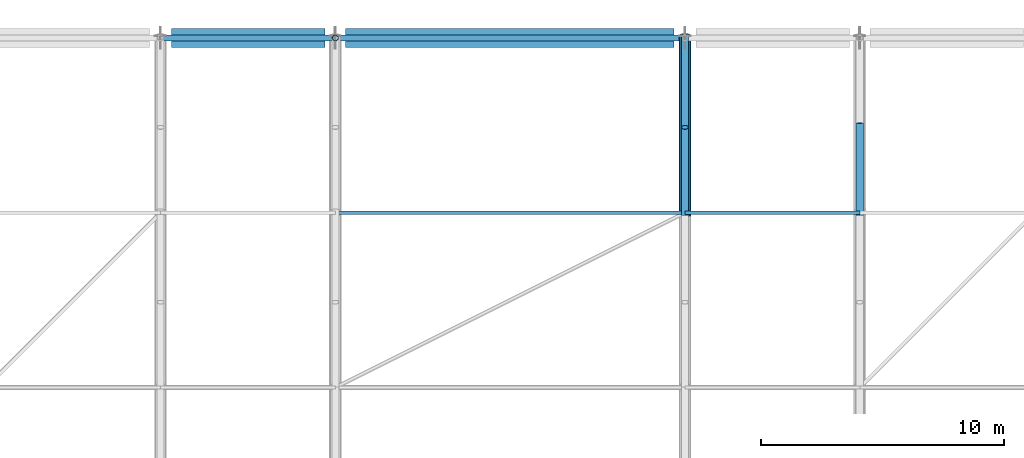
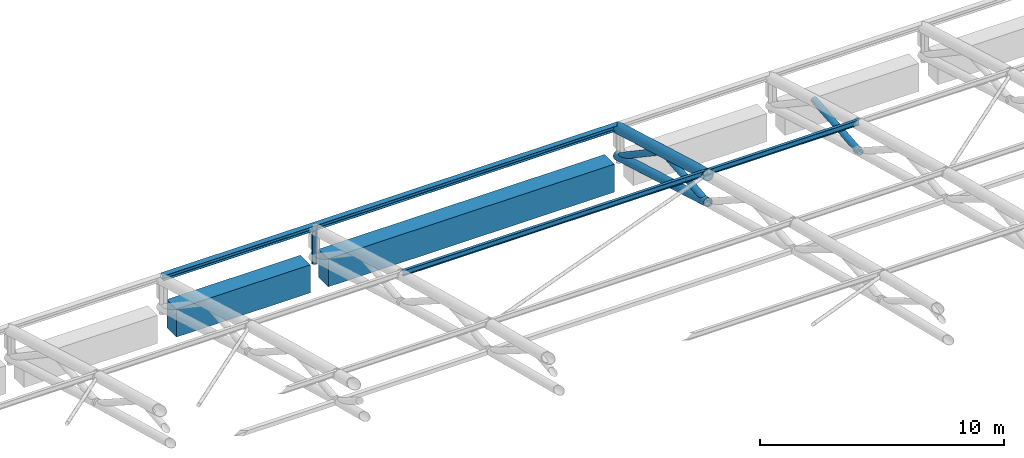
# One storey, part 98 of 193: 10 members, 2 beams.
"""IFC4 building model written with IfcOpenShell, lengths in metres."""

from ifc_helpers import new_model, si_unit, direction, frame, origin, origin_2d, place, context, subcontext, project, spatial, rectangle, hollow_circle, i_section, extrude, material, material_profile, profile_set, type_object, element, save


model = new_model("IFC4")

# Units and contexts
model_context = context("Model", 3, precision=1e-05, world=origin(), true_north=direction((0.0, 1.0)))
body_context = subcontext(model_context, "Body", "Model", "MODEL_VIEW")
ifc_project = project(units=[si_unit("LENGTHUNIT", "METRE"), si_unit("AREAUNIT", "SQUARE_METRE"), si_unit("VOLUMEUNIT", "CUBIC_METRE"), si_unit("PLANEANGLEUNIT", "RADIAN"), si_unit("MASSUNIT", "GRAM", prefix="KILO")], contexts=[model_context])

# Site, building, storey
site_placement = place(None, origin())
site = spatial("IfcSite", under=ifc_project, at=site_placement, CompositionType="ELEMENT")
building_placement = place(site_placement, origin())
building = spatial("IfcBuilding", under=site, at=building_placement, Name="Cendralis Lancet Convention Centre", CompositionType="ELEMENT")
storey_placement = place(building_placement, frame((0.0, 0.0, 10.199951171875)))
storey = spatial("IfcBuildingStorey", under=building, at=storey_placement, Name="L02", CompositionType="ELEMENT", Elevation=10.199951171875)

# Beams
ifc_material_1 = material(Name="Concrete G40 (C40/50)", Category="concrete")
ifc_material_profile_1 = material_profile(ifc_material_1, rectangle(XDim=0.800048828125, YDim=1.39990234375, at=origin_2d()), Name="RCB 800x1400")
ifc_profile_set_1 = profile_set([ifc_material_profile_1], Name="Concrete G40 (C40/50)")
beam_type = type_object("IfcBeamType", Name="STR-BM-BG17", PredefinedType="BEAM", material=ifc_profile_set_1)
beam_1_placement = place(storey_placement, frame((14.85009765625, 136.800048828125, 1.5), z_axis=(1.0, 0.0, 0.0), x_axis=(0.0, 1.0, 0.0)))
element("IfcBeam", 1, at=beam_1_placement, inside=storey, type_object=beam_type, Name="L02 Beam BG17 #1325", PredefinedType="BEAM", context=body_context, shape_type="SweptSolid", body=[
    extrude(rectangle(XDim=0.800048828125, YDim=1.39990234375, at=origin_2d()), origin(), (0.0, 0.0, 1.0), 6.324951171875),
])
beam_2_placement = place(storey_placement, frame((22.02490234375, 136.800048828125, 1.5), z_axis=(1.0, 0.0, 0.0), x_axis=(0.0, 1.0, 0.0)))
element("IfcBeam", 2, at=beam_2_placement, inside=storey, type_object=beam_type, Name="L02 Beam BG17 #1326", PredefinedType="BEAM", context=body_context, shape_type="SweptSolid", body=[
    extrude(rectangle(XDim=0.800048828125, YDim=1.39990234375, at=origin_2d()), origin(), (0.0, 0.0, 1.0), 13.525146484375),
])

# Members
ifc_material_2 = material(Name="Steel S355", Category="steel")
ifc_material_profile_2 = material_profile(ifc_material_2, i_section(OverallWidth=0.135009765625, OverallDepth=0.27001953125, WebThickness=0.006591796875, FlangeThickness=0.01025390625, FilletRadius=0.014892578125, at=origin_2d()), Name="IPE 270")
ifc_profile_set_2 = profile_set([ifc_material_profile_2], Name="Steel S355")
member_type_1 = type_object("IfcMemberType", Name="STR-PR-PR01", PredefinedType="PURLIN", material=ifc_profile_set_2)
member_1_placement = place(storey_placement, frame((21.60009765625, 129.60009765625, 5.771728515625), z_axis=(1.0, 0.0, 0.0), x_axis=(0.0, 1.0, 0.0)))
element("IfcMember", 3, at=member_1_placement, inside=storey, type_object=member_type_1, Name="Vault Roof Purlin PR01 V1-03-11", PredefinedType="PURLIN", context=body_context, shape_type="SweptSolid", body=[
    extrude(i_section(OverallWidth=0.135009765625, OverallDepth=0.27001953125, WebThickness=0.006591796875, FlangeThickness=0.01025390625, FilletRadius=0.014892578125, at=origin_2d()), origin(), (0.0, 0.0, 1.0), 14.39990234375),
])
member_2_placement = place(storey_placement, frame((36.0, 129.60009765625, 5.771728515625), z_axis=(1.0, 0.0, 0.0), x_axis=(0.0, 1.0, 0.0)))
element("IfcMember", 4, at=member_2_placement, inside=storey, type_object=member_type_1, Name="Vault Roof Purlin PR01 V1-04-11", PredefinedType="PURLIN", context=body_context, shape_type="SweptSolid", body=[
    extrude(i_section(OverallWidth=0.135009765625, OverallDepth=0.27001953125, WebThickness=0.006591796875, FlangeThickness=0.01025390625, FilletRadius=0.014892578125, at=origin_2d()), origin(), (0.0, 0.0, 1.0), 7.199951171875),
])
ifc_material_profile_3 = material_profile(ifc_material_2, i_section(OverallWidth=0.260009765625, OverallDepth=0.25, WebThickness=0.007568359375, FlangeThickness=0.012451171875, FilletRadius=0.02392578125, at=origin_2d()), Name="HEA 260")
ifc_profile_set_3 = profile_set([ifc_material_profile_3], Name="Steel S355")
member_type_2 = type_object("IfcMemberType", Name="STR-PR-PR07", PredefinedType="PURLIN", material=ifc_profile_set_3)
member_3_placement = place(storey_placement, frame((14.39990234375, 136.800048828125, 3.72509765625), z_axis=(1.0, 0.0, 0.0), x_axis=(0.0, 1.0, 0.0)))
element("IfcMember", 5, at=member_3_placement, inside=storey, type_object=member_type_2, Name="Vault Roof Purlin PR07 V1-02-12", PredefinedType="PURLIN", context=body_context, shape_type="SweptSolid", body=[
    extrude(i_section(OverallWidth=0.260009765625, OverallDepth=0.25, WebThickness=0.007568359375, FlangeThickness=0.012451171875, FilletRadius=0.02392578125, at=origin_2d()), origin(), (0.0, 0.0, 1.0), 7.2001953125),
])
member_4_placement = place(storey_placement, frame((21.60009765625, 136.800048828125, 3.72509765625), z_axis=(1.0, 0.0, 0.0), x_axis=(0.0, 1.0, 0.0)))
element("IfcMember", 6, at=member_4_placement, inside=storey, type_object=member_type_2, Name="Vault Roof Purlin PR07 V1-03-12", PredefinedType="PURLIN", context=body_context, shape_type="SweptSolid", body=[
    extrude(i_section(OverallWidth=0.260009765625, OverallDepth=0.25, WebThickness=0.007568359375, FlangeThickness=0.012451171875, FilletRadius=0.02392578125, at=origin_2d()), origin(), (0.0, 0.0, 1.0), 14.39990234375),
])
ifc_material_profile_4 = material_profile(ifc_material_2, hollow_circle(Radius=0.203125, WallThickness=0.01611328125, at=origin_2d()), Name="CHS 406.4x16.0")
ifc_profile_set_4 = profile_set([ifc_material_profile_4], Name="Steel S355")
member_type_3 = type_object("IfcMemberType", Name="STR-TR-BC01-INT", PredefinedType="CHORD", material=ifc_profile_set_4)
member_5_placement = place(storey_placement, frame((36.0, 129.48486328125, 4.32763671875), z_axis=(0.0, 0.960210680483, -0.279276653315), x_axis=(-1.0, 0.0, 0.0)))
element("IfcMember", 7, at=member_5_placement, inside=storey, type_object=member_type_3, Name="ROOF TRUSS AT-V1-05 Bottom Chord 11", PredefinedType="CHORD", context=body_context, shape_type="SweptSolid", body=[
    extrude(hollow_circle(Radius=0.203125, WallThickness=0.01611328125, at=origin_2d()), origin(), (0.0, 0.0, 1.0), 7.73828125),
])
ifc_material_profile_5 = material_profile(ifc_material_2, hollow_circle(Radius=0.25390625, WallThickness=0.02001953125, at=origin_2d()), Name="CHS 508.0x20.0")
ifc_profile_set_5 = profile_set([ifc_material_profile_5], Name="Steel S355")
member_type_4 = type_object("IfcMemberType", Name="STR-TR-TC01-INT", PredefinedType="CHORD", material=ifc_profile_set_5)
member_6_placement = place(storey_placement, frame((36.0, 129.484619140625, 5.689697265625), z_axis=(0.0, 0.961540636093, -0.274662711598), x_axis=(-1.0, 0.0, 0.0)))
element("IfcMember", 8, at=member_6_placement, inside=storey, type_object=member_type_4, Name="ROOF TRUSS AT-V1-05 Top Chord 11", PredefinedType="CHORD", context=body_context, shape_type="SweptSolid", body=[
    extrude(hollow_circle(Radius=0.25390625, WallThickness=0.02001953125, at=origin_2d()), origin(), (0.0, 0.0, 1.0), 7.727783203125),
])
ifc_material_profile_6 = material_profile(ifc_material_2, hollow_circle(Radius=0.149169921875, WallThickness=0.012451171875, at=origin_2d()), Name="CHS 298.5x12.5")
ifc_profile_set_6 = profile_set([ifc_material_profile_6], Name="Steel S355")
member_type_5 = type_object("IfcMemberType", Name="STR-TR-WD01-INT", PredefinedType="BRACE", material=ifc_profile_set_6)
member_7_placement = place(storey_placement, frame((36.0, 129.50048828125, 4.284912109375), z_axis=(0.0, 0.995716162115, 0.092462557307), x_axis=(-1.0, 0.0, 0.0)))
element("IfcMember", 9, at=member_7_placement, inside=storey, type_object=member_type_5, Name="ROOF TRUSS AT-V1-05 Warren Web 11-0", PredefinedType="BRACE", context=body_context, shape_type="SweptSolid", body=[
    extrude(hollow_circle(Radius=0.149169921875, WallThickness=0.012451171875, at=origin_2d()), origin(), (0.0, 0.0, 1.0), 3.8154296875),
])
member_8_placement = place(storey_placement, frame((36.0, 133.1171875, 4.684326171875), z_axis=(0.0, 0.82900316973, -0.559243904372), x_axis=(-1.0, 0.0, 0.0)))
element("IfcMember", 10, at=member_8_placement, inside=storey, type_object=member_type_5, Name="ROOF TRUSS AT-V1-05 Warren Web 11-1", PredefinedType="BRACE", context=body_context, shape_type="SweptSolid", body=[
    extrude(hollow_circle(Radius=0.149169921875, WallThickness=0.012451171875, at=origin_2d()), origin(), (0.0, 0.0, 1.0), 4.542236328125),
])
member_9_placement = place(storey_placement, frame((43.199951171875, 129.50048828125, 4.284912109375), z_axis=(0.0, 0.995716162115, 0.092462557307), x_axis=(-1.0, 0.0, 0.0)))
element("IfcMember", 11, at=member_9_placement, inside=storey, type_object=member_type_5, Name="ROOF TRUSS AT-V1-06 Warren Web 11-0", PredefinedType="BRACE", context=body_context, shape_type="SweptSolid", body=[
    extrude(hollow_circle(Radius=0.149169921875, WallThickness=0.012451171875, at=origin_2d()), origin(), (0.0, 0.0, 1.0), 3.8154296875),
])
ifc_material_profile_7 = material_profile(ifc_material_2, hollow_circle(Radius=0.122314453125, WallThickness=0.010009765625, at=origin_2d()), Name="CHS 244.5x10.0")
ifc_profile_set_7 = profile_set([ifc_material_profile_7], Name="Steel S355")
member_type_6 = type_object("IfcMemberType", Name="STR-TR-WV01-INT", PredefinedType="POST", material=ifc_profile_set_7)
member_10_placement = place(storey_placement, frame((21.60009765625, 136.800048828125, 1.900146484375), z_axis=(0.0, 0.0, 1.0), x_axis=(1.0, 0.0, 0.0)))
element("IfcMember", 12, at=member_10_placement, inside=storey, type_object=member_type_6, Name="ROOF TRUSS AT-V1-04 Springing Post N12", PredefinedType="POST", context=body_context, shape_type="SweptSolid", body=[
    extrude(hollow_circle(Radius=0.122314453125, WallThickness=0.010009765625, at=origin_2d()), origin(), (0.0, 0.0, 1.0), 1.919921875),
])

save(model, "model.ifc")
